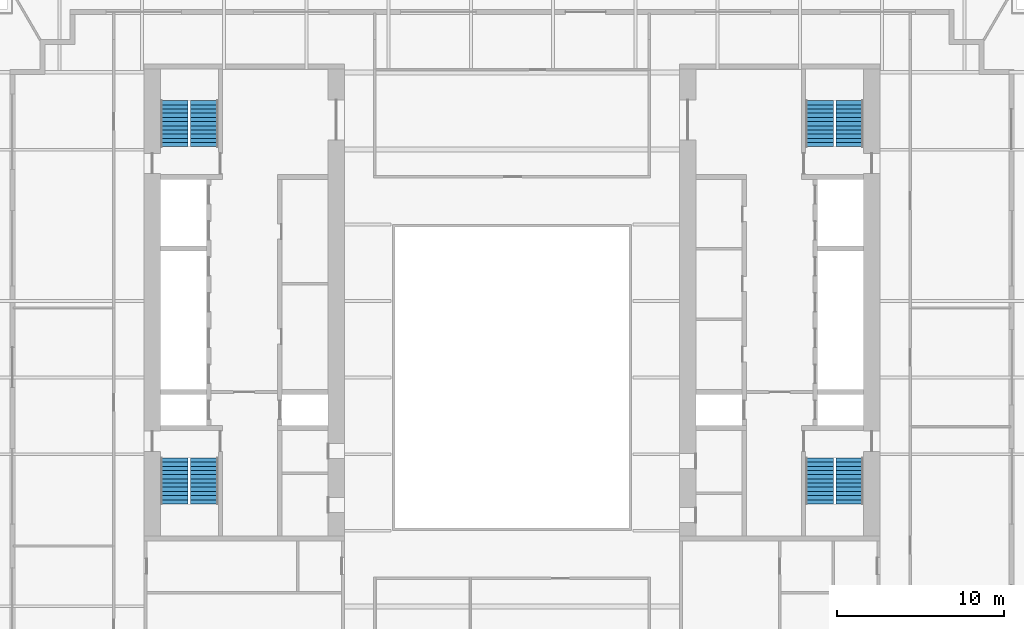
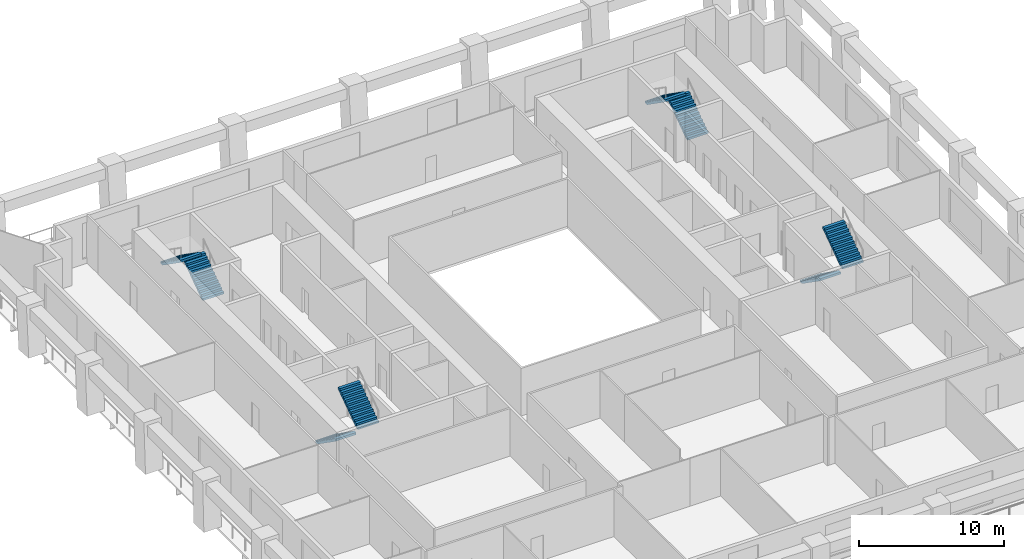
# One storey, part 8 of 10: 8 stair flights, 4 elements without a shape of their own.
"""IFC4 building model written with IfcOpenShell, lengths in metres."""

from ifc_helpers import new_model, si_unit, direction, frame, origin, place, context, subcontext, project, spatial, polyline, outline, extrude, material, type_object, element, aggregate, save


model = new_model("IFC4")

# Units and contexts
model_context = context("Model", 3, precision=1e-05, world=origin(), true_north=direction((0.0, 1.0)))
body_context = subcontext(model_context, "Body", "Model", "MODEL_VIEW")
ifc_project = project(units=[si_unit("LENGTHUNIT", "METRE"), si_unit("AREAUNIT", "SQUARE_METRE"), si_unit("VOLUMEUNIT", "CUBIC_METRE"), si_unit("PLANEANGLEUNIT", "RADIAN"), si_unit("MASSUNIT", "GRAM", prefix="KILO")], contexts=[model_context])

# Site, building, storey
site_placement = place(None, origin())
site = spatial("IfcSite", under=ifc_project, at=site_placement, CompositionType="ELEMENT")
building_placement = place(site_placement, origin())
building = spatial("IfcBuilding", under=site, at=building_placement, Name="Ogive Exchange Tower", CompositionType="ELEMENT")
storey_placement = place(building_placement, frame((0.0, 0.0, 52.199951171875)))
storey = spatial("IfcBuildingStorey", under=building, at=storey_placement, Name="L10", CompositionType="ELEMENT", Elevation=52.199951171875)

# Stair, stair flights
ifc_material = material(Name="Concrete C40/50", Category="concrete")
stair_type = type_object("IfcStairType", Name="Exit stair 1650 wide", PredefinedType="HALF_TURN_STAIR", material=ifc_material)
stair_1_placement = place(storey_placement, origin())
stair_1 = element("IfcStair", 1, at=stair_1_placement, inside=storey, type_object=stair_type, Name="L10 exit stair ST1", PredefinedType="HALF_TURN_STAIR")
stair_flight_type = type_object("IfcStairFlightType", Name="Stair flight 1650 wide", PredefinedType="STRAIGHT", material=ifc_material)
stair_flight_1_placement = place(storey_placement, frame((-20.175048828125, 2.199951171875, 0.0), z_axis=(0.0, 0.0, 1.0), x_axis=(0.0, -1.0, 0.0)))
stair_flight_1 = element("IfcStairFlight", 2, at=stair_flight_1_placement, type_object=stair_flight_type, Name="ST1 flight 1", NumberOfRisers=12, NumberOfTreads=11, PredefinedType="STRAIGHT", RiserHeight=0.175, TreadLength=0.25, context=body_context, shape_type="SweptSolid", body=[
    extrude(outline(polyline([(0.0, 0.0), (0.0, 0.175048828125), (0.25, 0.175048828125), (0.25, 0.35009765625), (0.5, 0.35009765625), (0.5, 0.52490234375), (0.75, 0.52490234375), (0.75, 0.699951171875), (1.0, 0.699951171875), (1.0, 0.875), (1.25, 0.875), (1.25, 1.050048828125), (1.5, 1.050048828125), (1.5, 1.22509765625), (1.75, 1.22509765625), (1.75, 1.39990234375), (2.0, 1.39990234375), (2.0, 1.574951171875), (2.25, 1.574951171875), (2.25, 1.75), (2.5, 1.75), (2.5, 1.925048828125), (2.75, 1.925048828125), (2.75, 2.10009765625), (2.75, 1.741943359375), (0.261474609375, 0.0), (0.0, 0.0)])), frame((0.0, 0.824951171875, 0.0), z_axis=(0.0, -1.0, 0.0), x_axis=(1.0, 0.0, 0.0)), (0.0, 0.0, 1.0), 1.64990234375),
])
stair_flight_2_placement = place(storey_placement, frame((-18.375, -0.550048828125, 2.10009765625), z_axis=(0.0, 0.0, 1.0), x_axis=(0.0, 1.0, 0.0)))
stair_flight_2 = element("IfcStairFlight", 3, at=stair_flight_2_placement, type_object=stair_flight_type, Name="ST1 flight 2", NumberOfRisers=12, NumberOfTreads=11, PredefinedType="STRAIGHT", RiserHeight=0.175, TreadLength=0.25, context=body_context, shape_type="SweptSolid", body=[
    extrude(outline(polyline([(0.0, 0.0), (0.0, 0.175048828125), (0.25, 0.175048828125), (0.25, 0.35009765625), (0.5, 0.35009765625), (0.5, 0.52490234375), (0.75, 0.52490234375), (0.75, 0.699951171875), (1.0, 0.699951171875), (1.0, 0.875), (1.25, 0.875), (1.25, 1.050048828125), (1.5, 1.050048828125), (1.5, 1.22509765625), (1.75, 1.22509765625), (1.75, 1.39990234375), (2.0, 1.39990234375), (2.0, 1.574951171875), (2.25, 1.574951171875), (2.25, 1.75), (2.5, 1.75), (2.5, 1.925048828125), (2.75, 1.925048828125), (2.75, 2.10009765625), (2.75, 1.741943359375), (0.261474609375, 0.0), (0.0, 0.0)])), frame((0.0, 0.824951171875, 0.0), z_axis=(0.0, -1.0, 0.0), x_axis=(1.0, 0.0, 0.0)), (0.0, 0.0, 1.0), 1.64990234375),
])
aggregate(stair_1, [stair_flight_1, stair_flight_2])

stair_2_placement = place(storey_placement, origin())
stair_2 = element("IfcStair", 4, at=stair_2_placement, inside=storey, type_object=stair_type, Name="L10 exit stair ST2", PredefinedType="HALF_TURN_STAIR")
stair_flight_3_placement = place(storey_placement, frame((-18.375, 20.800048828125, 0.0), z_axis=(0.0, 0.0, 1.0), x_axis=(0.0, 1.0, 0.0)))
stair_flight_3 = element("IfcStairFlight", 5, at=stair_flight_3_placement, type_object=stair_flight_type, Name="ST2 flight 1", NumberOfRisers=12, NumberOfTreads=11, PredefinedType="STRAIGHT", RiserHeight=0.175, TreadLength=0.25, context=body_context, shape_type="SweptSolid", body=[
    extrude(outline(polyline([(0.0, 0.0), (0.0, 0.175048828125), (0.25, 0.175048828125), (0.25, 0.35009765625), (0.5, 0.35009765625), (0.5, 0.52490234375), (0.75, 0.52490234375), (0.75, 0.699951171875), (1.0, 0.699951171875), (1.0, 0.875), (1.25, 0.875), (1.25, 1.050048828125), (1.5, 1.050048828125), (1.5, 1.22509765625), (1.75, 1.22509765625), (1.75, 1.39990234375), (2.0, 1.39990234375), (2.0, 1.574951171875), (2.25, 1.574951171875), (2.25, 1.75), (2.5, 1.75), (2.5, 1.925048828125), (2.75, 1.925048828125), (2.75, 2.10009765625), (2.75, 1.741943359375), (0.261474609375, 0.0), (0.0, 0.0)])), frame((0.0, 0.824951171875, 0.0), z_axis=(0.0, -1.0, 0.0), x_axis=(1.0, 0.0, 0.0)), (0.0, 0.0, 1.0), 1.64990234375),
])
stair_flight_4_placement = place(storey_placement, frame((-20.175048828125, 23.550048828125, 2.10009765625), z_axis=(0.0, 0.0, 1.0), x_axis=(0.0, -1.0, 0.0)))
stair_flight_4 = element("IfcStairFlight", 6, at=stair_flight_4_placement, type_object=stair_flight_type, Name="ST2 flight 2", NumberOfRisers=12, NumberOfTreads=11, PredefinedType="STRAIGHT", RiserHeight=0.175, TreadLength=0.25, context=body_context, shape_type="SweptSolid", body=[
    extrude(outline(polyline([(0.0, 0.0), (0.0, 0.175048828125), (0.25, 0.175048828125), (0.25, 0.35009765625), (0.5, 0.35009765625), (0.5, 0.52490234375), (0.75, 0.52490234375), (0.75, 0.699951171875), (1.0, 0.699951171875), (1.0, 0.875), (1.25, 0.875), (1.25, 1.050048828125), (1.5, 1.050048828125), (1.5, 1.22509765625), (1.75, 1.22509765625), (1.75, 1.39990234375), (2.0, 1.39990234375), (2.0, 1.574951171875), (2.25, 1.574951171875), (2.25, 1.75), (2.5, 1.75), (2.5, 1.925048828125), (2.75, 1.925048828125), (2.75, 2.10009765625), (2.75, 1.741943359375), (0.261474609375, 0.0), (0.0, 0.0)])), frame((0.0, 0.824951171875, 0.0), z_axis=(0.0, -1.0, 0.0), x_axis=(1.0, 0.0, 0.0)), (0.0, 0.0, 1.0), 1.64990234375),
])
aggregate(stair_2, [stair_flight_3, stair_flight_4])

stair_3_placement = place(storey_placement, origin())
stair_3 = element("IfcStair", 7, at=stair_3_placement, inside=storey, type_object=stair_type, Name="L10 exit stair ST3", PredefinedType="HALF_TURN_STAIR")
stair_flight_5_placement = place(storey_placement, frame((18.375, 2.199951171875, 0.0), z_axis=(0.0, 0.0, 1.0), x_axis=(0.0, -1.0, 0.0)))
stair_flight_5 = element("IfcStairFlight", 8, at=stair_flight_5_placement, type_object=stair_flight_type, Name="ST3 flight 1", NumberOfRisers=12, NumberOfTreads=11, PredefinedType="STRAIGHT", RiserHeight=0.175, TreadLength=0.25, context=body_context, shape_type="SweptSolid", body=[
    extrude(outline(polyline([(0.0, 0.0), (0.0, 0.175048828125), (0.25, 0.175048828125), (0.25, 0.35009765625), (0.5, 0.35009765625), (0.5, 0.52490234375), (0.75, 0.52490234375), (0.75, 0.699951171875), (1.0, 0.699951171875), (1.0, 0.875), (1.25, 0.875), (1.25, 1.050048828125), (1.5, 1.050048828125), (1.5, 1.22509765625), (1.75, 1.22509765625), (1.75, 1.39990234375), (2.0, 1.39990234375), (2.0, 1.574951171875), (2.25, 1.574951171875), (2.25, 1.75), (2.5, 1.75), (2.5, 1.925048828125), (2.75, 1.925048828125), (2.75, 2.10009765625), (2.75, 1.741943359375), (0.261474609375, 0.0), (0.0, 0.0)])), frame((0.0, 0.824951171875, 0.0), z_axis=(0.0, -1.0, 0.0), x_axis=(1.0, 0.0, 0.0)), (0.0, 0.0, 1.0), 1.64990234375),
])
stair_flight_6_placement = place(storey_placement, frame((20.175048828125, -0.550048828125, 2.10009765625), z_axis=(0.0, 0.0, 1.0), x_axis=(0.0, 1.0, 0.0)))
stair_flight_6 = element("IfcStairFlight", 9, at=stair_flight_6_placement, type_object=stair_flight_type, Name="ST3 flight 2", NumberOfRisers=12, NumberOfTreads=11, PredefinedType="STRAIGHT", RiserHeight=0.175, TreadLength=0.25, context=body_context, shape_type="SweptSolid", body=[
    extrude(outline(polyline([(0.0, 0.0), (0.0, 0.175048828125), (0.25, 0.175048828125), (0.25, 0.35009765625), (0.5, 0.35009765625), (0.5, 0.52490234375), (0.75, 0.52490234375), (0.75, 0.699951171875), (1.0, 0.699951171875), (1.0, 0.875), (1.25, 0.875), (1.25, 1.050048828125), (1.5, 1.050048828125), (1.5, 1.22509765625), (1.75, 1.22509765625), (1.75, 1.39990234375), (2.0, 1.39990234375), (2.0, 1.574951171875), (2.25, 1.574951171875), (2.25, 1.75), (2.5, 1.75), (2.5, 1.925048828125), (2.75, 1.925048828125), (2.75, 2.10009765625), (2.75, 1.741943359375), (0.261474609375, 0.0), (0.0, 0.0)])), frame((0.0, 0.824951171875, 0.0), z_axis=(0.0, -1.0, 0.0), x_axis=(1.0, 0.0, 0.0)), (0.0, 0.0, 1.0), 1.64990234375),
])
aggregate(stair_3, [stair_flight_5, stair_flight_6])

stair_4_placement = place(storey_placement, origin())
stair_4 = element("IfcStair", 10, at=stair_4_placement, inside=storey, type_object=stair_type, Name="L10 exit stair ST4", PredefinedType="HALF_TURN_STAIR")
stair_flight_7_placement = place(storey_placement, frame((20.175048828125, 20.800048828125, 0.0), z_axis=(0.0, 0.0, 1.0), x_axis=(0.0, 1.0, 0.0)))
stair_flight_7 = element("IfcStairFlight", 11, at=stair_flight_7_placement, type_object=stair_flight_type, Name="ST4 flight 1", NumberOfRisers=12, NumberOfTreads=11, PredefinedType="STRAIGHT", RiserHeight=0.175, TreadLength=0.25, context=body_context, shape_type="SweptSolid", body=[
    extrude(outline(polyline([(0.0, 0.0), (0.0, 0.175048828125), (0.25, 0.175048828125), (0.25, 0.35009765625), (0.5, 0.35009765625), (0.5, 0.52490234375), (0.75, 0.52490234375), (0.75, 0.699951171875), (1.0, 0.699951171875), (1.0, 0.875), (1.25, 0.875), (1.25, 1.050048828125), (1.5, 1.050048828125), (1.5, 1.22509765625), (1.75, 1.22509765625), (1.75, 1.39990234375), (2.0, 1.39990234375), (2.0, 1.574951171875), (2.25, 1.574951171875), (2.25, 1.75), (2.5, 1.75), (2.5, 1.925048828125), (2.75, 1.925048828125), (2.75, 2.10009765625), (2.75, 1.741943359375), (0.261474609375, 0.0), (0.0, 0.0)])), frame((0.0, 0.824951171875, 0.0), z_axis=(0.0, -1.0, 0.0), x_axis=(1.0, 0.0, 0.0)), (0.0, 0.0, 1.0), 1.64990234375),
])
stair_flight_8_placement = place(storey_placement, frame((18.375, 23.550048828125, 2.10009765625), z_axis=(0.0, 0.0, 1.0), x_axis=(0.0, -1.0, 0.0)))
stair_flight_8 = element("IfcStairFlight", 12, at=stair_flight_8_placement, type_object=stair_flight_type, Name="ST4 flight 2", NumberOfRisers=12, NumberOfTreads=11, PredefinedType="STRAIGHT", RiserHeight=0.175, TreadLength=0.25, context=body_context, shape_type="SweptSolid", body=[
    extrude(outline(polyline([(0.0, 0.0), (0.0, 0.175048828125), (0.25, 0.175048828125), (0.25, 0.35009765625), (0.5, 0.35009765625), (0.5, 0.52490234375), (0.75, 0.52490234375), (0.75, 0.699951171875), (1.0, 0.699951171875), (1.0, 0.875), (1.25, 0.875), (1.25, 1.050048828125), (1.5, 1.050048828125), (1.5, 1.22509765625), (1.75, 1.22509765625), (1.75, 1.39990234375), (2.0, 1.39990234375), (2.0, 1.574951171875), (2.25, 1.574951171875), (2.25, 1.75), (2.5, 1.75), (2.5, 1.925048828125), (2.75, 1.925048828125), (2.75, 2.10009765625), (2.75, 1.741943359375), (0.261474609375, 0.0), (0.0, 0.0)])), frame((0.0, 0.824951171875, 0.0), z_axis=(0.0, -1.0, 0.0), x_axis=(1.0, 0.0, 0.0)), (0.0, 0.0, 1.0), 1.64990234375),
])
aggregate(stair_4, [stair_flight_7, stair_flight_8])

save(model, "model.ifc")
